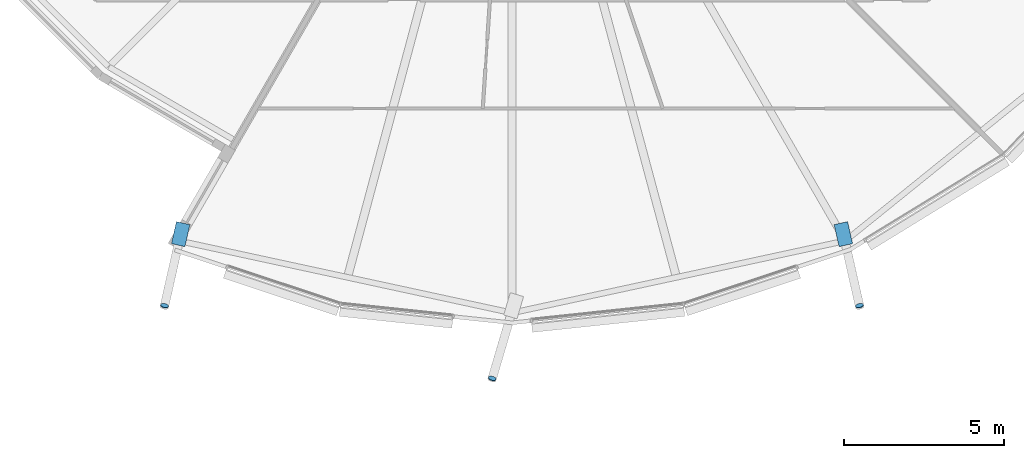
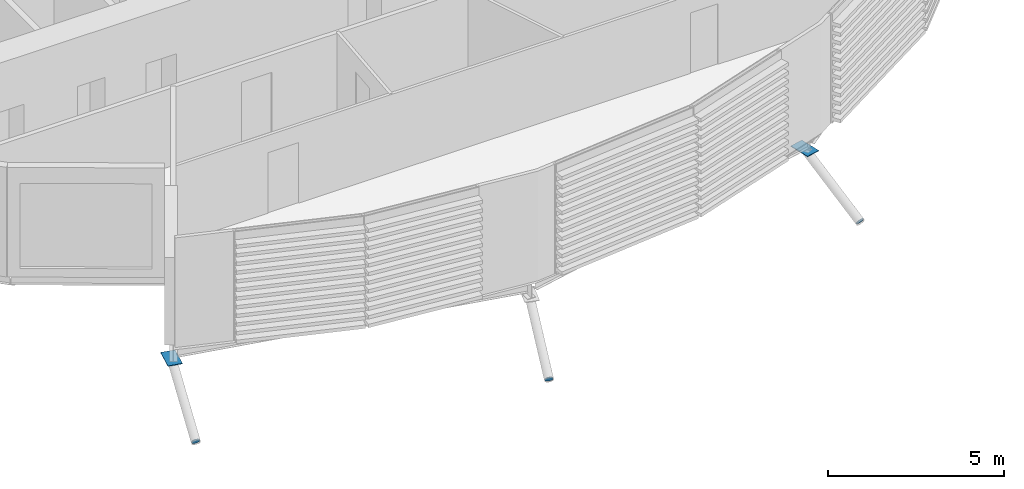
# One storey, part 28 of 38: 5 discrete accessories.
"""IFC4 building model written with IfcOpenShell, lengths in metres."""

import ifcopenshell
import ifcopenshell.guid

model = None  # the IFC model being written
_history = None  # IfcOwnerHistory: only IFC2X3 demands one
_inside = {}  # id of a spatial element -> (the spatial element, [elements in it])
_under = {}  # id of a project, library or spatial element -> (it, [spatial elements below it])
_declared = {}  # id of a project -> (the project, [libraries it declares])
_typed = {}  # id of a type object -> (the type object, [elements of that type])
_made_of = {}  # id of a material, layer set ... -> (it, [elements and type objects made of it])


def new_model(schema):
    """Start an empty IFC model of exactly this schema.

    Asked for "IFC4X3", IfcOpenShell would pick the latest addendum, in which some entities
    have other attributes; the version numbers below select the first issue.
    IFC2X3 requires an IfcOwnerHistory on every rooted entity: one is made here for all.
    """
    global model, _history
    if schema == "IFC4X3":
        model = ifcopenshell.file(schema_version=(4, 3, 0, 0))
    else:
        model = ifcopenshell.file(schema=schema)
    _inside.clear()
    _under.clear()
    _declared.clear()
    _typed.clear()
    _made_of.clear()
    _history = None
    if model.schema == "IFC2X3":
        org = make("IfcOrganization", Name="unknown")
        user = make(
            "IfcPersonAndOrganization",
            ThePerson=make("IfcPerson", FamilyName="unknown"),
            TheOrganization=org,
        )
        app = make(
            "IfcApplication",
            ApplicationDeveloper=org,
            Version="unknown",
            ApplicationFullName="unknown",
            ApplicationIdentifier="unknown",
        )
        _history = make(
            "IfcOwnerHistory",
            OwningUser=user,
            OwningApplication=app,
            ChangeAction="ADDED",
            CreationDate=0,
        )
    return model


def make(cls, **values):
    """One entity of the class cls with the attributes given. An attribute that is None is left unset."""
    return model.create_entity(
        cls, **{name: value for name, value in values.items() if value is not None}
    )


def rooted(cls, **values):
    """An entity with a GlobalId (a new one), such as an element, a storey or a relation."""
    return make(cls, GlobalId=ifcopenshell.guid.new(), OwnerHistory=_history, **values)


def si_unit(unit_type, name, prefix=None):
    """IfcSIUnit, for example si_unit("LENGTHUNIT", "METRE", prefix="MILLI")."""
    return make("IfcSIUnit", UnitType=unit_type, Prefix=prefix, Name=name)


def assignment(units):
    """IfcUnitAssignment: the units of a project."""
    return None if units is None else make("IfcUnitAssignment", Units=units)


def point(xyz):
    """IfcCartesianPoint."""
    return None if xyz is None else make("IfcCartesianPoint", Coordinates=xyz)


def direction(xyz):
    """IfcDirection."""
    return None if xyz is None else make("IfcDirection", DirectionRatios=xyz)


def frame(location, z_axis=None, x_axis=None):
    """IfcAxis2Placement3D, a coordinate frame: its origin and axes. An axis left out is left unset."""
    return make(
        "IfcAxis2Placement3D",
        Location=point(location),
        Axis=direction(z_axis),
        RefDirection=direction(x_axis),
    )


def frame_2d(location, x_axis=None):
    """IfcAxis2Placement2D, a coordinate frame in the plane: its origin and x axis."""
    return make(
        "IfcAxis2Placement2D", Location=point(location), RefDirection=direction(x_axis)
    )


def origin():
    """The frame at (0, 0, 0) with its axes left unset."""
    return frame((0.0, 0.0, 0.0))


def origin_2d():
    """The frame at (0, 0) in the plane with its x axis left unset."""
    return frame_2d((0.0, 0.0))


def place(relative_to, where):
    """IfcLocalPlacement: puts the frame where relative to a parent placement (None: the world)."""
    return make(
        "IfcLocalPlacement", PlacementRelTo=relative_to, RelativePlacement=where
    )


def context(
    kind, dimensions, precision=None, world=None, true_north=None, identifier=None
):
    """IfcGeometricRepresentationContext, for example the 3D "Model" context."""
    return make(
        "IfcGeometricRepresentationContext",
        ContextIdentifier=identifier,
        ContextType=kind,
        CoordinateSpaceDimension=dimensions,
        Precision=precision,
        WorldCoordinateSystem=world,
        TrueNorth=true_north,
    )


def subcontext(parent, identifier, kind, view, scale=None):
    """IfcGeometricRepresentationSubContext, for example "Body" below "Model"."""
    return make(
        "IfcGeometricRepresentationSubContext",
        ContextIdentifier=identifier,
        ContextType=kind,
        ParentContext=parent,
        TargetScale=scale,
        TargetView=view,
    )


def project(units=None, contexts=None):
    """IfcProject with its units and contexts."""
    return rooted(
        "IfcProject",
        Name="project",
        RepresentationContexts=contexts,
        UnitsInContext=assignment(units),
    )


def spatial(cls, under=None, at=None, **own):
    """A site, building, storey or space (cls), placed at a placement, below another one or the project."""
    s = rooted(cls, ObjectPlacement=at, **own)
    if under is not None:
        _under.setdefault(under.id(), (under, []))[1].append(s)
    return s


def polyline(points):
    """IfcPolyline through the points."""
    return make("IfcPolyline", Points=[point(p) for p in points])


def profile(cls, at=None, kind="AREA", **sizes):
    """A parametric profile (cls). Its sizes go by their IFC names, for example OverallWidth=200.0."""
    return make(cls, ProfileType=kind, Position=at, **sizes)


def rectangle(**sizes):
    """IfcRectangleProfileDef."""
    return profile("IfcRectangleProfileDef", **sizes)


def circle(**sizes):
    """IfcCircleProfileDef."""
    return profile("IfcCircleProfileDef", **sizes)


def outline(outer, holes=None, kind="AREA"):
    """IfcArbitraryClosedProfileDef: a profile drawn as a closed curve; with holes, ...WithVoids."""
    if holes is None:
        return make("IfcArbitraryClosedProfileDef", ProfileType=kind, OuterCurve=outer)
    return make(
        "IfcArbitraryProfileDefWithVoids",
        ProfileType=kind,
        OuterCurve=outer,
        InnerCurves=holes,
    )


def extrude(swept, where, along, depth):
    """IfcExtrudedAreaSolid: the profile swept, set in the frame where, extruded along a direction by depth."""
    return make(
        "IfcExtrudedAreaSolid",
        SweptArea=swept,
        Position=where,
        ExtrudedDirection=direction(along),
        Depth=depth,
    )


def shape(context_of_items, identifier, shape_type, items):
    """IfcShapeRepresentation: the items that make up one representation, for example the "Body"."""
    return make(
        "IfcShapeRepresentation",
        ContextOfItems=context_of_items,
        RepresentationIdentifier=identifier,
        RepresentationType=shape_type,
        Items=items,
    )


def material(Name=None, Category=None):
    """IfcMaterial."""
    return make("IfcMaterial", Name=Name, Category=Category)


def material_profile(
    of_material, cross_section, Name=None, Category=None, Priority=None
):
    """IfcMaterialProfile: a cross section and its material."""
    return make(
        "IfcMaterialProfile",
        Name=Name,
        Material=of_material,
        Profile=cross_section,
        Priority=Priority,
        Category=Category,
    )


def profile_set(profiles, Name=None, composite=None):
    """IfcMaterialProfileSet."""
    return make(
        "IfcMaterialProfileSet",
        Name=Name,
        MaterialProfiles=profiles,
        CompositeProfile=composite,
    )


def made_of(thing, what):
    """Note that an element or type object is made of a material, layer set ...; save() writes the relation."""
    if what is not None:
        _made_of.setdefault(what.id(), (what, []))[1].append(thing)
    return thing


def type_object(cls, material=None, **own):
    """A type object (cls), such as IfcWallType, which elements share."""
    return made_of(rooted(cls, **own), material)


def element(
    cls,
    number,
    at=None,
    inside=None,
    cuts=None,
    type_object=None,
    material=None,
    context=None,
    identifier="Body",
    shape_type=None,
    held_by="IfcProductDefinitionShape",
    body=None,
    shapes=None,
    **own,
):
    """One element of the class cls, such as IfcWall. Its Tag is "e" and its number.

    at: its placement. inside: the storey or other place that contains it. cuts: it is an
    opening in that element (IfcRelVoidsElement). A single representation is given by context,
    identifier, shape_type and body (its items); several are given by shapes. held_by: the class
    of the entity that holds the representations. save() writes the other relations.
    """
    e = rooted(cls, Tag="e%d" % number, ObjectPlacement=at, **own)
    if body is not None:
        shapes = [shape(context, identifier, shape_type, body)]
    if shapes is not None:
        e.Representation = make(held_by, Representations=shapes)
    if inside is not None:
        _inside.setdefault(inside.id(), (inside, []))[1].append(e)
    if cuts is not None:
        rooted(
            "IfcRelVoidsElement", RelatingBuildingElement=cuts, RelatedOpeningElement=e
        )
    if type_object is not None:
        _typed.setdefault(type_object.id(), (type_object, []))[1].append(e)
    return made_of(e, material)


def aggregate(whole, parts):
    """IfcRelAggregates: a whole, such as a stair, and the parts it consists of."""
    return rooted("IfcRelAggregates", RelatingObject=whole, RelatedObjects=parts)


def save(model, path):
    """Write the relations noted so far, then the file.

    IfcRelAggregates (storeys below a building ...), IfcRelContainedInSpatialStructure (elements
    in a storey), IfcRelDefinesByType, IfcRelAssociatesMaterial and IfcRelDeclares: one each for
    every whole, place, type object, material and project.
    """
    for whole, parts in _under.values():
        aggregate(whole, parts)
    for where, things in _inside.values():
        rooted(
            "IfcRelContainedInSpatialStructure",
            RelatedElements=things,
            RelatingStructure=where,
        )
    for kind, things in _typed.values():
        rooted("IfcRelDefinesByType", RelatedObjects=things, RelatingType=kind)
    for what, things in _made_of.values():
        rooted("IfcRelAssociatesMaterial", RelatedObjects=things, RelatingMaterial=what)
    for by, libraries in _declared.values():
        rooted("IfcRelDeclares", RelatingContext=by, RelatedDefinitions=libraries)
    model.write(path)


model = new_model("IFC4")

# Units and contexts
model_context = context("Model", 3, precision=1e-05, world=origin(), true_north=direction((0.0, 1.0)))
body_context = subcontext(model_context, "Body", "Model", "MODEL_VIEW")
ifc_project = project(units=[si_unit("LENGTHUNIT", "METRE"), si_unit("AREAUNIT", "SQUARE_METRE"), si_unit("VOLUMEUNIT", "CUBIC_METRE"), si_unit("PLANEANGLEUNIT", "RADIAN"), si_unit("MASSUNIT", "GRAM", prefix="KILO")], contexts=[model_context])

# Site, building, storey
site_placement = place(None, origin())
site = spatial("IfcSite", under=ifc_project, at=site_placement, CompositionType="ELEMENT")
building_placement = place(site_placement, origin())
building = spatial("IfcBuilding", under=site, at=building_placement, Name="Rimbun Link Towers", CompositionType="ELEMENT")
storey_placement = place(building_placement, frame((0.0, 0.0, 56.60009765625)))
storey = spatial("IfcBuildingStorey", under=building, at=storey_placement, Name="L13", CompositionType="ELEMENT", Elevation=56.60009765625)

# Discrete accessories
ifc_material_1 = material(Name="Steel S355J2H", Category="steel")
ifc_material_profile_1 = material_profile(ifc_material_1, circle(Radius=0.1240234375, at=origin_2d()), Name="PL D248")
ifc_profile_set_1 = profile_set([ifc_material_profile_1], Name="Steel S355J2H")
discrete_accessory_type_1 = type_object("IfcDiscreteAccessoryType", Name="Link foot sealing plate D248X20", PredefinedType="BRACKET", material=ifc_profile_set_1)
for number, where, z_axis, x_axis, name in (
    (1, (-42.63525390625, -20.115234375, -2.104248046875), (-0.184833375936, -0.850233529307, -0.492889002497), (0.977176363923, -0.212429644331, 0.0), "Link foot sealing plate T1 L13 16"),
    (2, (-32.367919921875, -22.39501953125, -2.161376953125), (-0.245736593591, -0.835504418211, -0.491473187183), (0.959365501571, -0.282166323992, 0.0), "Link foot sealing plate T1 L13 18"),
    (3, (-20.86474609375, -20.115234375, -2.104248046875), (0.184833375936, -0.850233529307, -0.492889002497), (0.977176363923, 0.212429644331, 0.0), "Link foot sealing plate T1 L13 20"),
):
    element("IfcDiscreteAccessory", number, at=place(storey_placement, frame(where, z_axis=z_axis, x_axis=x_axis)), inside=storey, type_object=discrete_accessory_type_1, Name=name, PredefinedType="BRACKET", context=body_context, shape_type="SweptSolid", body=[
        extrude(circle(Radius=0.1240234375, at=origin_2d()), origin(), (0.0, 0.0, 1.0), 0.019775390625),
    ])
ifc_material_2 = material(Name="Steel S355J2H", Category="steel")
ifc_material_profile_2 = material_profile(ifc_material_2, rectangle(XDim=0.43310546875, YDim=0.43310546875, at=origin_2d()), Name="PL 433x433")
ifc_profile_set_2 = profile_set([ifc_material_profile_2], Name="Steel S355J2H")
discrete_accessory_type_2 = type_object("IfcDiscreteAccessoryType", Name="Link head end plate 433X20", PredefinedType="BRACKET", material=ifc_profile_set_2)
discrete_accessory_1_placement = place(storey_placement, frame((0.0, 0.0, -0.78271484375)))
element("IfcDiscreteAccessory", 4, at=discrete_accessory_1_placement, inside=storey, type_object=discrete_accessory_type_2, Name="Link head end plate T1 L13 16", PredefinedType="BRACKET", context=body_context, shape_type="SweptSolid", body=[
    extrude(outline(polyline([(-42.264404296875, -17.4873046875), (-42.419921875, -18.176513671875), (-41.99755859375, -18.271728515625), (-41.842041015625, -17.58251953125), (-42.264404296875, -17.4873046875)])), origin(), (0.0, 0.0, 1.0), 0.02001953125),
])
discrete_accessory_2_placement = place(storey_placement, frame((0.0, 0.0, -0.78271484375)))
element("IfcDiscreteAccessory", 5, at=discrete_accessory_2_placement, inside=storey, type_object=discrete_accessory_type_2, Name="Link head end plate T1 L13 20", PredefinedType="BRACKET", context=body_context, shape_type="SweptSolid", body=[
    extrude(outline(polyline([(-21.657958984375, -17.58251953125), (-21.50244140625, -18.271728515625), (-21.080078125, -18.176513671875), (-21.235595703125, -17.4873046875), (-21.657958984375, -17.58251953125)])), origin(), (0.0, 0.0, 1.0), 0.02001953125),
])

save(model, "model.ifc")
